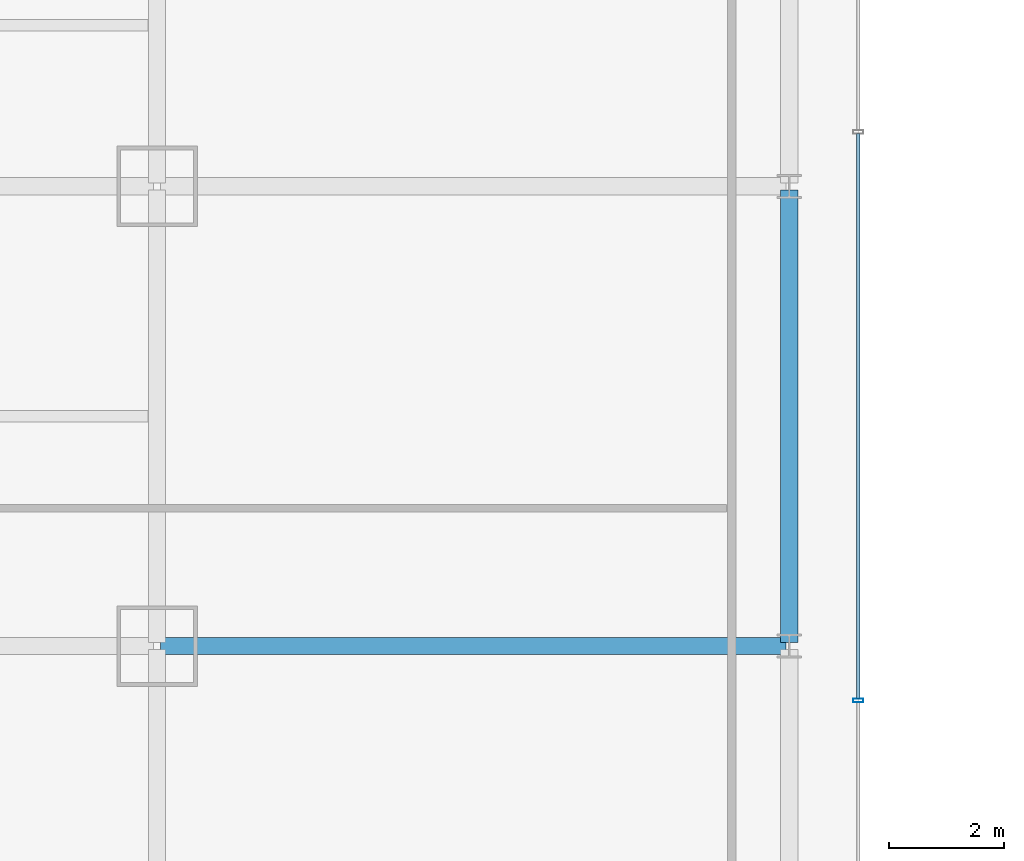
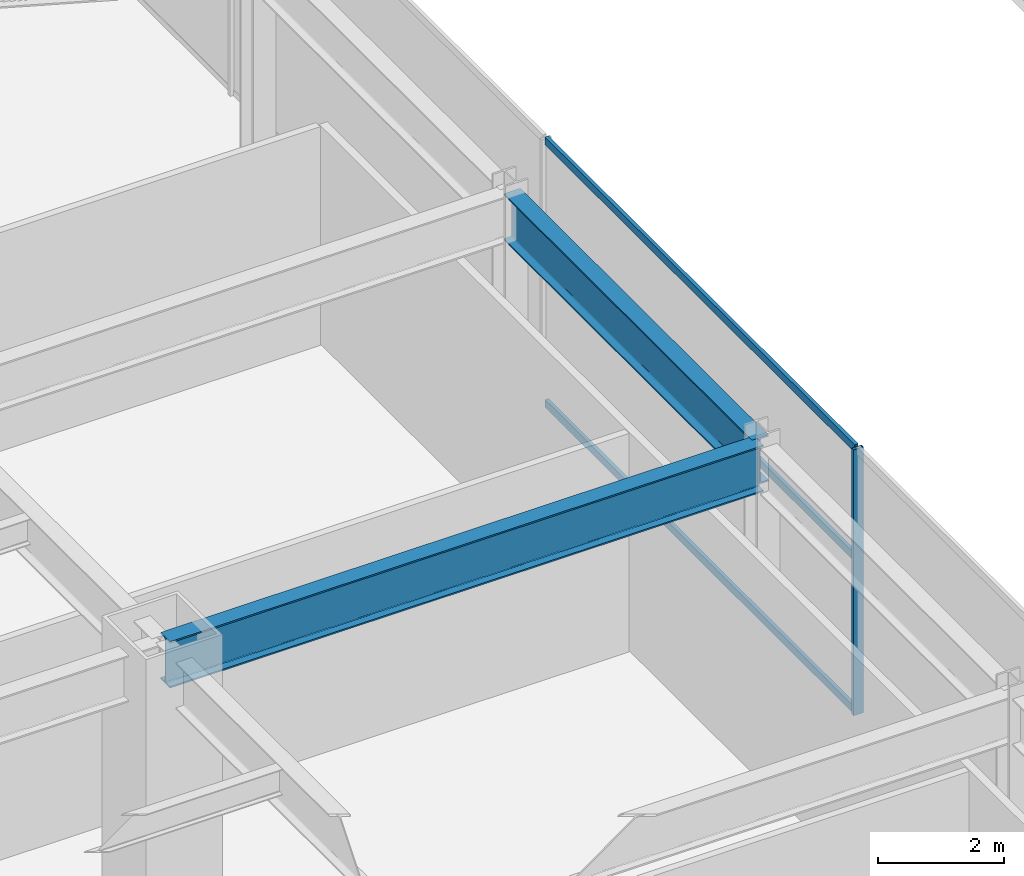
# One storey, part 22 of 53: 4 members, 2 beams, 1 element without a shape of its own.
"""IFC4 building model written with IfcOpenShell, lengths in metres."""

from ifc_helpers import new_model, si_unit, direction, frame, origin, origin_2d, place, context, subcontext, project, spatial, hollow_rectangle, i_section, extrude, material, material_profile, profile_set, type_object, element, aggregate, save


model = new_model("IFC4")

# Units and contexts
model_context = context("Model", 3, precision=1e-05, world=origin(), true_north=direction((0.0, 1.0)))
body_context = subcontext(model_context, "Body", "Model", "MODEL_VIEW")
ifc_project = project(units=[si_unit("LENGTHUNIT", "METRE"), si_unit("AREAUNIT", "SQUARE_METRE"), si_unit("VOLUMEUNIT", "CUBIC_METRE"), si_unit("PLANEANGLEUNIT", "RADIAN"), si_unit("MASSUNIT", "GRAM", prefix="KILO")], contexts=[model_context])

# Site, building, storey
site_placement = place(None, origin())
site = spatial("IfcSite", under=ifc_project, at=site_placement, CompositionType="ELEMENT")
building_placement = place(site_placement, origin())
building = spatial("IfcBuilding", under=site, at=building_placement, Name="Saevonmaru Cultural Tower", CompositionType="ELEMENT")
storey_placement = place(building_placement, frame((0.0, 0.0, 22.199951171875)))
storey = spatial("IfcBuildingStorey", under=building, at=storey_placement, Name="L04", CompositionType="ELEMENT", Elevation=22.199951171875)

# Beams
ifc_material_1 = material(Name="Steel SM420", Category="steel")
ifc_material_profile_1 = material_profile(ifc_material_1, i_section(OverallWidth=0.300048828125, OverallDepth=0.89990234375, WebThickness=0.01611328125, FlangeThickness=0.028076171875, FilletRadius=0.028076171875, at=origin_2d()), Name="H-900x300x16x28")
ifc_profile_set_1 = profile_set([ifc_material_profile_1], Name="Steel SM420")
beam_type = type_object("IfcBeamType", Name="BM-G-H900", PredefinedType="BEAM", material=ifc_profile_set_1)
beam_1_placement = place(storey_placement, frame((47.860107421875, 24.0, 4.699951171875), z_axis=(1.0, 0.0, 0.0), x_axis=(0.0, 1.0, 0.0)))
element("IfcBeam", 1, at=beam_1_placement, inside=storey, type_object=beam_type, Name="BM-POD-OE-3-L04", PredefinedType="BEAM", context=body_context, shape_type="SweptSolid", body=[
    extrude(i_section(OverallWidth=0.300048828125, OverallDepth=0.89990234375, WebThickness=0.01611328125, FlangeThickness=0.028076171875, FilletRadius=0.028076171875, at=origin_2d()), origin(), (0.0, 0.0, 1.0), 10.8798828125),
])
beam_2_placement = place(storey_placement, frame((58.800048828125, 24.06005859375, 4.699951171875), z_axis=(0.0, 1.0, 0.0), x_axis=(-1.0, 0.0, 0.0)))
element("IfcBeam", 2, at=beam_2_placement, inside=storey, type_object=beam_type, Name="BM-POD-PE-3-L04", PredefinedType="BEAM", context=body_context, shape_type="SweptSolid", body=[
    extrude(i_section(OverallWidth=0.300048828125, OverallDepth=0.89990234375, WebThickness=0.01611328125, FlangeThickness=0.028076171875, FilletRadius=0.028076171875, at=origin_2d()), origin(), (0.0, 0.0, 1.0), 7.8798828125),
])

# Curtain wall, members
ifc_material_2 = material(Name="Satin Bronze Anodised Aluminium", Category="aluminium")
curtain_wall_type = type_object("IfcCurtainWallType", Name="CW-POD-GLZ", PredefinedType="NOTDEFINED", material=ifc_material_2)
curtain_wall_placement = place(storey_placement, origin())
curtain_wall = element("IfcCurtainWall", 3, at=curtain_wall_placement, inside=storey, type_object=curtain_wall_type, Name="L04 Saevon Plaza Curtain Wall", PredefinedType="NOTDEFINED")
ifc_material_profile_2 = material_profile(ifc_material_2, hollow_rectangle(XDim=0.06494140625, YDim=0.179931640625, WallThickness=0.00390625, at=origin_2d()), Name="ALU-MULL-180x65x4")
ifc_profile_set_2 = profile_set([ifc_material_profile_2], Name="Satin Bronze Anodised Aluminium")
member_type_1 = type_object("IfcMemberType", Name="ML-CW-180x65", PredefinedType="MULLION", material=ifc_profile_set_2)
member_1_placement = place(storey_placement, frame((60.0, 23.052001953125, 0.0), z_axis=(0.0, 0.0, 1.0), x_axis=(0.0, 1.0, 0.0)))
member_1 = element("IfcMember", 4, at=member_1_placement, type_object=member_type_1, Name="CW-POD-E-L04 mullion 3", PredefinedType="MULLION", context=body_context, shape_type="SweptSolid", body=[
    extrude(hollow_rectangle(XDim=0.06494140625, YDim=0.179931640625, WallThickness=0.00390625, at=origin_2d()), origin(), (0.0, 0.0, 1.0), 5.150146484375),
])
ifc_material_profile_3 = material_profile(ifc_material_2, hollow_rectangle(XDim=0.06494140625, YDim=0.14990234375, WallThickness=0.00390625, at=origin_2d()), Name="ALU-TRAN-150x65x4")
ifc_profile_set_3 = profile_set([ifc_material_profile_3], Name="Satin Bronze Anodised Aluminium")
member_type_2 = type_object("IfcMemberType", Name="TR-CW-150x65", PredefinedType="USERDEFINED", material=ifc_profile_set_3)
member_2_placement = place(storey_placement, frame((60.0, 23.08447265625, 0.032470703125), z_axis=(0.0, 1.0, 0.0), x_axis=(-1.0, 0.0, 0.0)))
member_2 = element("IfcMember", 5, at=member_2_placement, type_object=member_type_2, Name="CW-POD-E-L04 transom 3.1", ObjectType="TRANSOM", PredefinedType="USERDEFINED", context=body_context, shape_type="SweptSolid", body=[
    extrude(hollow_rectangle(XDim=0.06494140625, YDim=0.14990234375, WallThickness=0.00390625, at=origin_2d()), origin(), (0.0, 0.0, 1.0), 9.8310546875),
])
member_3_placement = place(storey_placement, frame((60.0, 23.08447265625, 3.0), z_axis=(0.0, 1.0, 0.0), x_axis=(-1.0, 0.0, 0.0)))
member_3 = element("IfcMember", 6, at=member_3_placement, type_object=member_type_2, Name="CW-POD-E-L04 transom 3.2", ObjectType="TRANSOM", PredefinedType="USERDEFINED", context=body_context, shape_type="SweptSolid", body=[
    extrude(hollow_rectangle(XDim=0.06494140625, YDim=0.14990234375, WallThickness=0.00390625, at=origin_2d()), origin(), (0.0, 0.0, 1.0), 9.8310546875),
])
member_4_placement = place(storey_placement, frame((60.0, 23.08447265625, 5.117431640625), z_axis=(0.0, 1.0, 0.0), x_axis=(-1.0, 0.0, 0.0)))
member_4 = element("IfcMember", 7, at=member_4_placement, type_object=member_type_2, Name="CW-POD-E-L04 transom 3.3", ObjectType="TRANSOM", PredefinedType="USERDEFINED", context=body_context, shape_type="SweptSolid", body=[
    extrude(hollow_rectangle(XDim=0.06494140625, YDim=0.14990234375, WallThickness=0.00390625, at=origin_2d()), origin(), (0.0, 0.0, 1.0), 9.8310546875),
])
aggregate(curtain_wall, [member_1, member_2, member_3, member_4])

save(model, "model.ifc")
